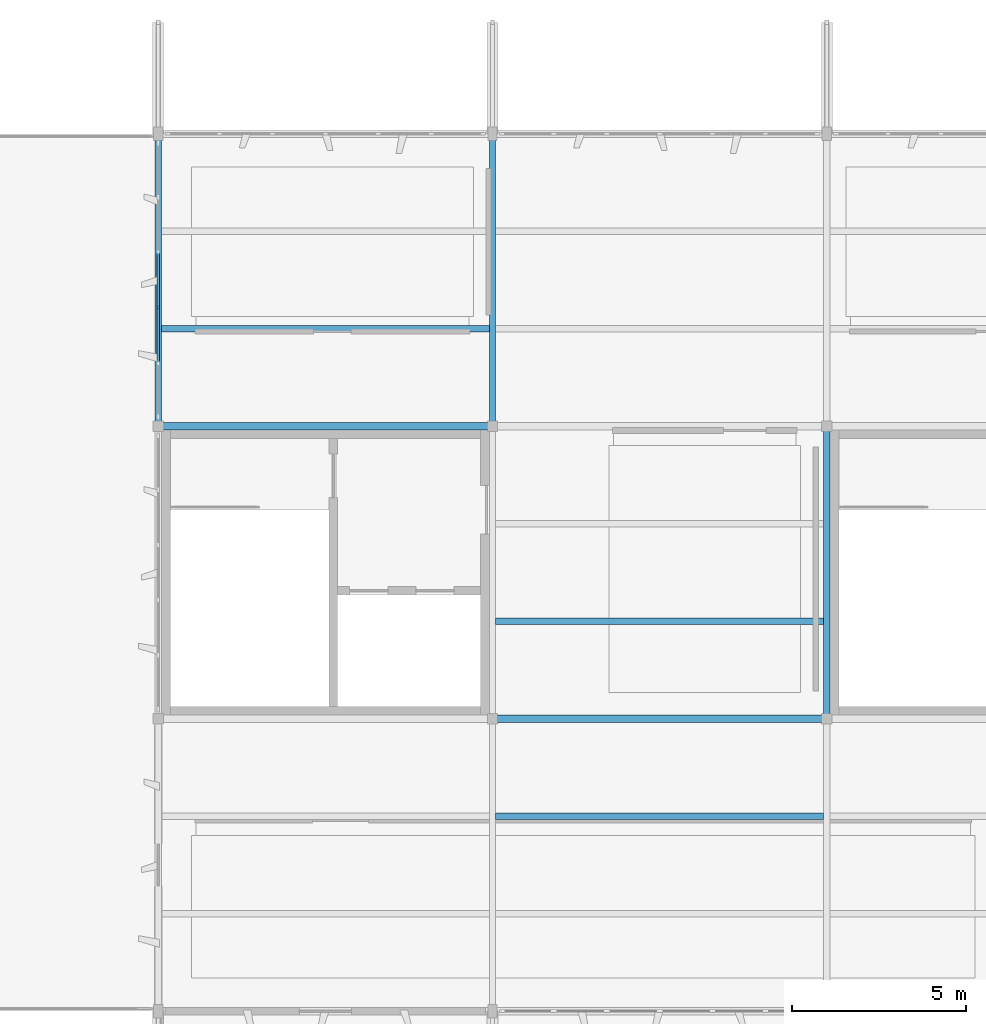
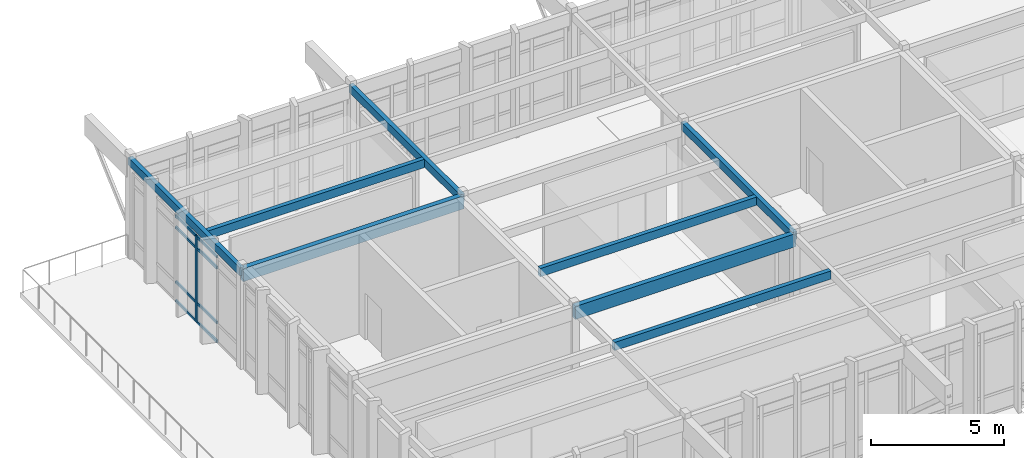
# One storey, part 4 of 19: 9 members, 8 beams, 1 element without a shape of its own.
"""IFC4 building model written with IfcOpenShell, lengths in metres."""

from ifc_helpers import new_model, si_unit, direction, frame, origin, origin_2d, place, context, subcontext, project, spatial, rectangle, extrude, material, layer, layer_set, material_profile, profile_set, type_object, element, aggregate, save


model = new_model("IFC4")

# Units and contexts
model_context = context("Model", 3, precision=1e-05, world=origin(), true_north=direction((0.0, 1.0)))
body_context = subcontext(model_context, "Body", "Model", "MODEL_VIEW")
ifc_project = project(units=[si_unit("LENGTHUNIT", "METRE"), si_unit("AREAUNIT", "SQUARE_METRE"), si_unit("VOLUMEUNIT", "CUBIC_METRE"), si_unit("PLANEANGLEUNIT", "RADIAN"), si_unit("MASSUNIT", "GRAM", prefix="KILO")], contexts=[model_context])

# Site, building, storey
site_placement = place(None, origin())
site = spatial("IfcSite", under=ifc_project, at=site_placement, CompositionType="ELEMENT")
building_placement = place(site_placement, origin())
building = spatial("IfcBuilding", under=site, at=building_placement, Name="Kolvemor Railside Polytechnic", CompositionType="ELEMENT")
storey_placement = place(building_placement, frame((0.0, 0.0, 27.0)))
storey = spatial("IfcBuildingStorey", under=building, at=storey_placement, Name="L06", CompositionType="ELEMENT", Elevation=27.0)

# Beams
ifc_material_1 = material(Name="Glulam GL28h", Category="wood")
ifc_material_profile_1 = material_profile(ifc_material_1, rectangle(XDim=0.215087890625, YDim=0.60009765625, at=origin_2d()), Name="GL215x600")
ifc_profile_set_1 = profile_set([ifc_material_profile_1], Name="Glulam GL28h")
beam_type_1 = type_object("IfcBeamType", Name="BM-GL-EAVE", PredefinedType="BEAM", material=ifc_profile_set_1)
beam_1_placement = place(storey_placement, frame((76.800048828125, 21.60009765625, 4.264892578125), z_axis=(1.0, 0.0, 0.0), x_axis=(0.0, 1.0, 0.0)))
element("IfcBeam", 1, at=beam_1_placement, inside=storey, type_object=beam_type_1, Name="Primary Girder RF-GX 1746", PredefinedType="BEAM", context=body_context, shape_type="SweptSolid", body=[
    extrude(rectangle(XDim=0.215087890625, YDim=0.60009765625, at=origin_2d()), origin(), (0.0, 0.0, 1.0), 9.599853515625),
])
beam_2_placement = place(storey_placement, frame((67.199951171875, 30.0, 4.264892578125), z_axis=(1.0, 0.0, 0.0), x_axis=(0.0, 1.0, 0.0)))
element("IfcBeam", 2, at=beam_2_placement, inside=storey, type_object=beam_type_1, Name="Primary Girder RF-GX 1750", PredefinedType="BEAM", context=body_context, shape_type="SweptSolid", body=[
    extrude(rectangle(XDim=0.215087890625, YDim=0.60009765625, at=origin_2d()), origin(), (0.0, 0.0, 1.0), 9.60009765625),
])
ifc_material_2 = material(Name="Glulam GL28h", Category="wood")
ifc_material_profile_2 = material_profile(ifc_material_2, rectangle(XDim=0.18505859375, YDim=0.3798828125, at=origin_2d()), Name="GL185x380")
ifc_profile_set_2 = profile_set([ifc_material_profile_2], Name="Glulam GL28h")
beam_type_2 = type_object("IfcBeamType", Name="BM-GL-JST6", PredefinedType="JOIST", material=ifc_profile_set_2)
for number, where, z_axis, x_axis, name in (
    (3, (67.2919921875, 32.800048828125, 4.375), (1.0, 0.0, 0.0), (0.0, 1.0, 0.0), "Floor Joist RF-J1804"),
    (4, (76.89208984375, 18.800048828125, 4.375), (1.0, 0.0, 0.0), (0.0, 1.0, 0.0), "Floor Joist RF-J1807"),
    (5, (76.89208984375, 24.39990234375, 4.375), (1.0, 0.0, 0.0), (0.0, 1.0, 0.0), "Floor Joist RF-J1808"),
):
    element("IfcBeam", number, at=place(storey_placement, frame(where, z_axis=z_axis, x_axis=x_axis)), inside=storey, type_object=beam_type_2, Name=name, PredefinedType="JOIST", context=body_context, shape_type="SweptSolid", body=[
        extrude(rectangle(XDim=0.18505859375, YDim=0.3798828125, at=origin_2d()), origin(), (0.0, 0.0, 1.0), 9.416015625),
    ])
ifc_material_3 = material(Name="Glulam GL28h", Category="wood")
ifc_material_profile_3 = material_profile(ifc_material_3, rectangle(XDim=0.18505859375, YDim=0.360107421875, at=origin_2d()), Name="GL185x360")
ifc_profile_set_3 = profile_set([ifc_material_profile_3], Name="Glulam GL28h")
beam_type_3 = type_object("IfcBeamType", Name="BM-GL-TRIM", PredefinedType="LINTEL", material=ifc_profile_set_3)
for number, where, z_axis, x_axis, name in (
    (6, (67.199951171875, 30.0, 4.385009765625), (0.0, 1.0, 0.0), (-1.0, 0.0, 0.0), "Primary Girder RF-GY 1762"),
    (7, (76.800048828125, 30.0, 4.385009765625), (0.0, 1.0, 0.0), (-1.0, 0.0, 0.0), "Primary Girder RF-GY 1769"),
    (8, (86.39990234375, 21.60009765625, 4.385009765625), (0.0, 1.0, 0.0), (-1.0, 0.0, 0.0), "Primary Girder RF-GY 1775"),
):
    element("IfcBeam", number, at=place(storey_placement, frame(where, z_axis=z_axis, x_axis=x_axis)), inside=storey, type_object=beam_type_3, Name=name, PredefinedType="LINTEL", context=body_context, shape_type="SweptSolid", body=[
        extrude(rectangle(XDim=0.18505859375, YDim=0.360107421875, at=origin_2d()), origin(), (0.0, 0.0, 1.0), 8.39990234375),
    ])

# Curtain wall, members
ifc_material_4 = material(Name="Anodised marine aluminium and laminated low-E glass", Category="aluminium")
ifc_layer = layer(ifc_material_4, 0.179931640625, Name="CW-STICK-LIB")
ifc_layer_set = layer_set([ifc_layer], Name="Anodised marine aluminium and laminated low-E glass")
curtain_wall_type = type_object("IfcCurtainWallType", Name="CW-STICK-LIB", PredefinedType="USERDEFINED", material=ifc_layer_set)
curtain_wall_placement = place(storey_placement, origin())
curtain_wall = element("IfcCurtainWall", 9, at=curtain_wall_placement, inside=storey, type_object=curtain_wall_type, Name="Curtain Wall L06-151", ObjectType="STICK GLAZED SCREEN", PredefinedType="USERDEFINED")
ifc_material_5 = material(Name="Anodised marine aluminium 6063-T6", Category="aluminium")
ifc_material_profile_4 = material_profile(ifc_material_5, rectangle(XDim=0.06494140625, YDim=0.14990234375, at=origin_2d()), Name="CW-MUL-65x150")
ifc_profile_set_4 = profile_set([ifc_material_profile_4], Name="Anodised marine aluminium 6063-T6")
member_type_1 = type_object("IfcMemberType", Name="CWM-65x150", PredefinedType="MULLION", material=ifc_profile_set_4)
member_1_placement = place(storey_placement, frame((67.199951171875, 33.407958984375, 0.0), z_axis=(0.0, 0.0, 1.0), x_axis=(1.0, 0.0, 0.0)))
member_1 = element("IfcMember", 10, at=member_1_placement, type_object=member_type_1, Name="CW-LIB mullion 4", PredefinedType="MULLION", context=body_context, shape_type="SweptSolid", body=[
    extrude(rectangle(XDim=0.06494140625, YDim=0.14990234375, at=origin_2d()), origin(), (0.0, 0.0, 1.0), 3.965087890625),
])
ifc_material_6 = material(Name="Anodised marine aluminium 6063-T6", Category="aluminium")
ifc_material_profile_5 = material_profile(ifc_material_6, rectangle(XDim=0.06494140625, YDim=0.1201171875, at=origin_2d()), Name="CW-TRN-65x120")
ifc_profile_set_5 = profile_set([ifc_material_profile_5], Name="Anodised marine aluminium 6063-T6")
member_type_2 = type_object("IfcMemberType", Name="CWT-65x120", PredefinedType="USERDEFINED", material=ifc_profile_set_5)
member_2_placement = place(storey_placement, frame((67.199951171875, 34.95947265625, 0.032470703125), z_axis=(0.0, -1.0, 0.0), x_axis=(1.0, 0.0, 0.0)))
member_2 = element("IfcMember", 11, at=member_2_placement, type_object=member_type_2, Name="CW-LIB transom 3.1", ObjectType="TRANSOM", PredefinedType="USERDEFINED", context=body_context, shape_type="SweptSolid", body=[
    extrude(rectangle(XDim=0.06494140625, YDim=0.1201171875, at=origin_2d()), origin(), (0.0, 0.0, 1.0), 1.51904296875),
])
member_3_placement = place(storey_placement, frame((67.199951171875, 34.95947265625, 0.89990234375), z_axis=(0.0, -1.0, 0.0), x_axis=(1.0, 0.0, 0.0)))
member_3 = element("IfcMember", 12, at=member_3_placement, type_object=member_type_2, Name="CW-LIB transom 3.2", ObjectType="TRANSOM", PredefinedType="USERDEFINED", context=body_context, shape_type="SweptSolid", body=[
    extrude(rectangle(XDim=0.06494140625, YDim=0.1201171875, at=origin_2d()), origin(), (0.0, 0.0, 1.0), 1.51904296875),
])
member_4_placement = place(storey_placement, frame((67.199951171875, 34.95947265625, 3.4150390625), z_axis=(0.0, -1.0, 0.0), x_axis=(1.0, 0.0, 0.0)))
member_4 = element("IfcMember", 13, at=member_4_placement, type_object=member_type_2, Name="CW-LIB transom 3.3", ObjectType="TRANSOM", PredefinedType="USERDEFINED", context=body_context, shape_type="SweptSolid", body=[
    extrude(rectangle(XDim=0.06494140625, YDim=0.1201171875, at=origin_2d()), origin(), (0.0, 0.0, 1.0), 1.51904296875),
])
member_5_placement = place(storey_placement, frame((67.199951171875, 34.95947265625, 3.9326171875), z_axis=(0.0, -1.0, 0.0), x_axis=(1.0, 0.0, 0.0)))
member_5 = element("IfcMember", 14, at=member_5_placement, type_object=member_type_2, Name="CW-LIB transom 3.4", ObjectType="TRANSOM", PredefinedType="USERDEFINED", context=body_context, shape_type="SweptSolid", body=[
    extrude(rectangle(XDim=0.06494140625, YDim=0.1201171875, at=origin_2d()), origin(), (0.0, 0.0, 1.0), 1.51904296875),
])
member_6_placement = place(storey_placement, frame((67.199951171875, 33.37548828125, 0.032470703125), z_axis=(0.0, -1.0, 0.0), x_axis=(1.0, 0.0, 0.0)))
member_6 = element("IfcMember", 15, at=member_6_placement, type_object=member_type_2, Name="CW-LIB transom 4.1", ObjectType="TRANSOM", PredefinedType="USERDEFINED", context=body_context, shape_type="SweptSolid", body=[
    extrude(rectangle(XDim=0.06494140625, YDim=0.1201171875, at=origin_2d()), origin(), (0.0, 0.0, 1.0), 1.51904296875),
])
member_7_placement = place(storey_placement, frame((67.199951171875, 33.37548828125, 0.89990234375), z_axis=(0.0, -1.0, 0.0), x_axis=(1.0, 0.0, 0.0)))
member_7 = element("IfcMember", 16, at=member_7_placement, type_object=member_type_2, Name="CW-LIB transom 4.2", ObjectType="TRANSOM", PredefinedType="USERDEFINED", context=body_context, shape_type="SweptSolid", body=[
    extrude(rectangle(XDim=0.06494140625, YDim=0.1201171875, at=origin_2d()), origin(), (0.0, 0.0, 1.0), 1.51904296875),
])
member_8_placement = place(storey_placement, frame((67.199951171875, 33.37548828125, 3.4150390625), z_axis=(0.0, -1.0, 0.0), x_axis=(1.0, 0.0, 0.0)))
member_8 = element("IfcMember", 17, at=member_8_placement, type_object=member_type_2, Name="CW-LIB transom 4.3", ObjectType="TRANSOM", PredefinedType="USERDEFINED", context=body_context, shape_type="SweptSolid", body=[
    extrude(rectangle(XDim=0.06494140625, YDim=0.1201171875, at=origin_2d()), origin(), (0.0, 0.0, 1.0), 1.51904296875),
])
member_9_placement = place(storey_placement, frame((67.199951171875, 33.37548828125, 3.9326171875), z_axis=(0.0, -1.0, 0.0), x_axis=(1.0, 0.0, 0.0)))
member_9 = element("IfcMember", 18, at=member_9_placement, type_object=member_type_2, Name="CW-LIB transom 4.4", ObjectType="TRANSOM", PredefinedType="USERDEFINED", context=body_context, shape_type="SweptSolid", body=[
    extrude(rectangle(XDim=0.06494140625, YDim=0.1201171875, at=origin_2d()), origin(), (0.0, 0.0, 1.0), 1.51904296875),
])
aggregate(curtain_wall, [member_1, member_2, member_3, member_4, member_5, member_6, member_7, member_8, member_9])

save(model, "model.ifc")
